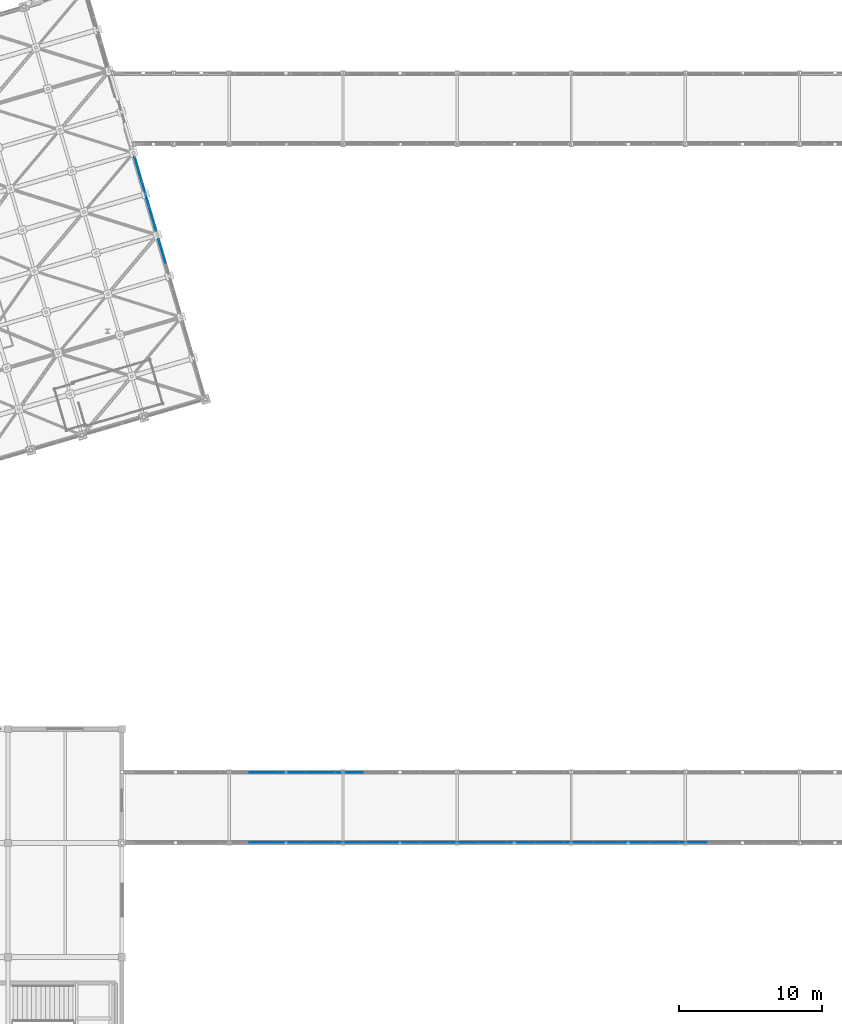
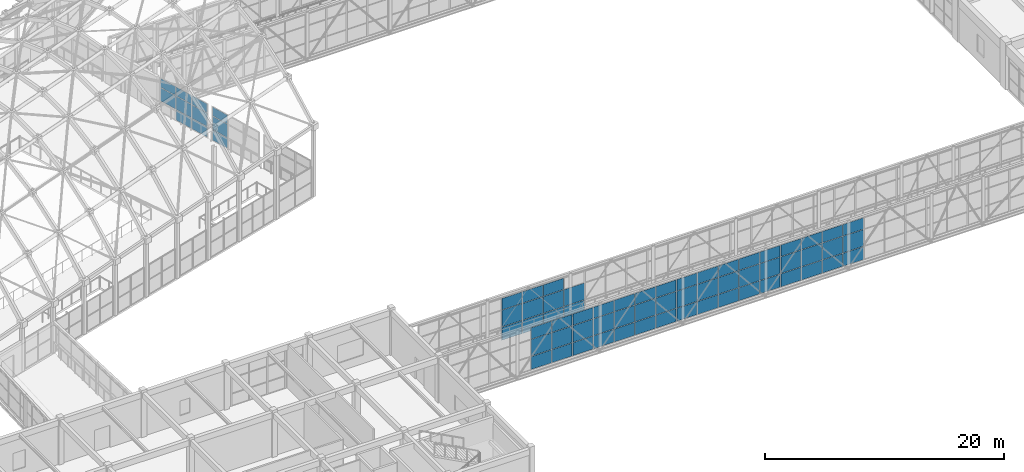
# One storey, part 204 of 248: 70 plates, 4 elements without a shape of their own.
"""IFC4 building model written with IfcOpenShell, lengths in metres."""

import ifcopenshell
import ifcopenshell.guid

model = None  # the IFC model being written
_history = None  # IfcOwnerHistory: only IFC2X3 demands one
_inside = {}  # id of a spatial element -> (the spatial element, [elements in it])
_under = {}  # id of a project, library or spatial element -> (it, [spatial elements below it])
_declared = {}  # id of a project -> (the project, [libraries it declares])
_typed = {}  # id of a type object -> (the type object, [elements of that type])
_made_of = {}  # id of a material, layer set ... -> (it, [elements and type objects made of it])


def new_model(schema):
    """Start an empty IFC model of exactly this schema.

    Asked for "IFC4X3", IfcOpenShell would pick the latest addendum, in which some entities
    have other attributes; the version numbers below select the first issue.
    IFC2X3 requires an IfcOwnerHistory on every rooted entity: one is made here for all.
    """
    global model, _history
    if schema == "IFC4X3":
        model = ifcopenshell.file(schema_version=(4, 3, 0, 0))
    else:
        model = ifcopenshell.file(schema=schema)
    _inside.clear()
    _under.clear()
    _declared.clear()
    _typed.clear()
    _made_of.clear()
    _history = None
    if model.schema == "IFC2X3":
        org = make("IfcOrganization", Name="unknown")
        user = make(
            "IfcPersonAndOrganization",
            ThePerson=make("IfcPerson", FamilyName="unknown"),
            TheOrganization=org,
        )
        app = make(
            "IfcApplication",
            ApplicationDeveloper=org,
            Version="unknown",
            ApplicationFullName="unknown",
            ApplicationIdentifier="unknown",
        )
        _history = make(
            "IfcOwnerHistory",
            OwningUser=user,
            OwningApplication=app,
            ChangeAction="ADDED",
            CreationDate=0,
        )
    return model


def make(cls, **values):
    """One entity of the class cls with the attributes given. An attribute that is None is left unset."""
    return model.create_entity(
        cls, **{name: value for name, value in values.items() if value is not None}
    )


def rooted(cls, **values):
    """An entity with a GlobalId (a new one), such as an element, a storey or a relation."""
    return make(cls, GlobalId=ifcopenshell.guid.new(), OwnerHistory=_history, **values)


def si_unit(unit_type, name, prefix=None):
    """IfcSIUnit, for example si_unit("LENGTHUNIT", "METRE", prefix="MILLI")."""
    return make("IfcSIUnit", UnitType=unit_type, Prefix=prefix, Name=name)


def assignment(units):
    """IfcUnitAssignment: the units of a project."""
    return None if units is None else make("IfcUnitAssignment", Units=units)


def point(xyz):
    """IfcCartesianPoint."""
    return None if xyz is None else make("IfcCartesianPoint", Coordinates=xyz)


def direction(xyz):
    """IfcDirection."""
    return None if xyz is None else make("IfcDirection", DirectionRatios=xyz)


def frame(location, z_axis=None, x_axis=None):
    """IfcAxis2Placement3D, a coordinate frame: its origin and axes. An axis left out is left unset."""
    return make(
        "IfcAxis2Placement3D",
        Location=point(location),
        Axis=direction(z_axis),
        RefDirection=direction(x_axis),
    )


def frame_2d(location, x_axis=None):
    """IfcAxis2Placement2D, a coordinate frame in the plane: its origin and x axis."""
    return make(
        "IfcAxis2Placement2D", Location=point(location), RefDirection=direction(x_axis)
    )


def origin():
    """The frame at (0, 0, 0) with its axes left unset."""
    return frame((0.0, 0.0, 0.0))


def origin_2d():
    """The frame at (0, 0) in the plane with its x axis left unset."""
    return frame_2d((0.0, 0.0))


def place(relative_to, where):
    """IfcLocalPlacement: puts the frame where relative to a parent placement (None: the world)."""
    return make(
        "IfcLocalPlacement", PlacementRelTo=relative_to, RelativePlacement=where
    )


def context(
    kind, dimensions, precision=None, world=None, true_north=None, identifier=None
):
    """IfcGeometricRepresentationContext, for example the 3D "Model" context."""
    return make(
        "IfcGeometricRepresentationContext",
        ContextIdentifier=identifier,
        ContextType=kind,
        CoordinateSpaceDimension=dimensions,
        Precision=precision,
        WorldCoordinateSystem=world,
        TrueNorth=true_north,
    )


def subcontext(parent, identifier, kind, view, scale=None):
    """IfcGeometricRepresentationSubContext, for example "Body" below "Model"."""
    return make(
        "IfcGeometricRepresentationSubContext",
        ContextIdentifier=identifier,
        ContextType=kind,
        ParentContext=parent,
        TargetScale=scale,
        TargetView=view,
    )


def project(units=None, contexts=None):
    """IfcProject with its units and contexts."""
    return rooted(
        "IfcProject",
        Name="project",
        RepresentationContexts=contexts,
        UnitsInContext=assignment(units),
    )


def spatial(cls, under=None, at=None, **own):
    """A site, building, storey or space (cls), placed at a placement, below another one or the project."""
    s = rooted(cls, ObjectPlacement=at, **own)
    if under is not None:
        _under.setdefault(under.id(), (under, []))[1].append(s)
    return s


def profile(cls, at=None, kind="AREA", **sizes):
    """A parametric profile (cls). Its sizes go by their IFC names, for example OverallWidth=200.0."""
    return make(cls, ProfileType=kind, Position=at, **sizes)


def rectangle(**sizes):
    """IfcRectangleProfileDef."""
    return profile("IfcRectangleProfileDef", **sizes)


def extrude(swept, where, along, depth):
    """IfcExtrudedAreaSolid: the profile swept, set in the frame where, extruded along a direction by depth."""
    return make(
        "IfcExtrudedAreaSolid",
        SweptArea=swept,
        Position=where,
        ExtrudedDirection=direction(along),
        Depth=depth,
    )


def shape(context_of_items, identifier, shape_type, items):
    """IfcShapeRepresentation: the items that make up one representation, for example the "Body"."""
    return make(
        "IfcShapeRepresentation",
        ContextOfItems=context_of_items,
        RepresentationIdentifier=identifier,
        RepresentationType=shape_type,
        Items=items,
    )


def material(Name=None, Category=None):
    """IfcMaterial."""
    return make("IfcMaterial", Name=Name, Category=Category)


def layer(
    of_material, thickness, ventilated=None, Name=None, Category=None, Priority=None
):
    """IfcMaterialLayer: one layer of a wall or slab, of a material (None: an air gap)."""
    return make(
        "IfcMaterialLayer",
        Material=of_material,
        LayerThickness=thickness,
        IsVentilated=ventilated,
        Name=Name,
        Category=Category,
        Priority=Priority,
    )


def layer_set(layers, Name=None):
    """IfcMaterialLayerSet."""
    return make("IfcMaterialLayerSet", MaterialLayers=layers, LayerSetName=Name)


def made_of(thing, what):
    """Note that an element or type object is made of a material, layer set ...; save() writes the relation."""
    if what is not None:
        _made_of.setdefault(what.id(), (what, []))[1].append(thing)
    return thing


def type_object(cls, material=None, **own):
    """A type object (cls), such as IfcWallType, which elements share."""
    return made_of(rooted(cls, **own), material)


def element(
    cls,
    number,
    at=None,
    inside=None,
    cuts=None,
    type_object=None,
    material=None,
    context=None,
    identifier="Body",
    shape_type=None,
    held_by="IfcProductDefinitionShape",
    body=None,
    shapes=None,
    **own,
):
    """One element of the class cls, such as IfcWall. Its Tag is "e" and its number.

    at: its placement. inside: the storey or other place that contains it. cuts: it is an
    opening in that element (IfcRelVoidsElement). A single representation is given by context,
    identifier, shape_type and body (its items); several are given by shapes. held_by: the class
    of the entity that holds the representations. save() writes the other relations.
    """
    e = rooted(cls, Tag="e%d" % number, ObjectPlacement=at, **own)
    if body is not None:
        shapes = [shape(context, identifier, shape_type, body)]
    if shapes is not None:
        e.Representation = make(held_by, Representations=shapes)
    if inside is not None:
        _inside.setdefault(inside.id(), (inside, []))[1].append(e)
    if cuts is not None:
        rooted(
            "IfcRelVoidsElement", RelatingBuildingElement=cuts, RelatedOpeningElement=e
        )
    if type_object is not None:
        _typed.setdefault(type_object.id(), (type_object, []))[1].append(e)
    return made_of(e, material)


def aggregate(whole, parts):
    """IfcRelAggregates: a whole, such as a stair, and the parts it consists of."""
    return rooted("IfcRelAggregates", RelatingObject=whole, RelatedObjects=parts)


def save(model, path):
    """Write the relations noted so far, then the file.

    IfcRelAggregates (storeys below a building ...), IfcRelContainedInSpatialStructure (elements
    in a storey), IfcRelDefinesByType, IfcRelAssociatesMaterial and IfcRelDeclares: one each for
    every whole, place, type object, material and project.
    """
    for whole, parts in _under.values():
        aggregate(whole, parts)
    for where, things in _inside.values():
        rooted(
            "IfcRelContainedInSpatialStructure",
            RelatedElements=things,
            RelatingStructure=where,
        )
    for kind, things in _typed.values():
        rooted("IfcRelDefinesByType", RelatedObjects=things, RelatingType=kind)
    for what, things in _made_of.values():
        rooted("IfcRelAssociatesMaterial", RelatedObjects=things, RelatingMaterial=what)
    for by, libraries in _declared.values():
        rooted("IfcRelDeclares", RelatingContext=by, RelatedDefinitions=libraries)
    model.write(path)


model = new_model("IFC4")

# Units and contexts
model_context = context("Model", 3, precision=1e-05, world=origin(), true_north=direction((0.0, 1.0)))
body_context = subcontext(model_context, "Body", "Model", "MODEL_VIEW")
ifc_project = project(units=[si_unit("LENGTHUNIT", "METRE"), si_unit("AREAUNIT", "SQUARE_METRE"), si_unit("VOLUMEUNIT", "CUBIC_METRE"), si_unit("PLANEANGLEUNIT", "RADIAN"), si_unit("MASSUNIT", "GRAM", prefix="KILO")], contexts=[model_context])

# Site, building, storey
site_placement = place(None, origin())
site = spatial("IfcSite", under=ifc_project, at=site_placement, CompositionType="ELEMENT")
building_placement = place(site_placement, origin())
building = spatial("IfcBuilding", under=site, at=building_placement, Name="Canggui Botanical Conservatory", CompositionType="ELEMENT")
storey_placement = place(building_placement, frame((0.0, 0.0, 5.39990234375)))
storey = spatial("IfcBuildingStorey", under=building, at=storey_placement, Name="L02", CompositionType="ELEMENT", Elevation=5.39990234375)

# Curtain wall, plates
ifc_material_1 = material(Name="Thermally Broken Aluminium", Category="aluminium")
ifc_layer_1 = layer(ifc_material_1, 0.14990234375, Name="Thermally Broken Aluminium", Category="aluminium")
ifc_layer_set_1 = layer_set([ifc_layer_1], Name="Thermally Broken Aluminium")
curtain_wall_type_1 = type_object("IfcCurtainWallType", Name="CW-UNIT-C", PredefinedType="USERDEFINED", material=ifc_layer_set_1)
curtain_wall_1_placement = place(storey_placement, origin())
curtain_wall_1 = element("IfcCurtainWall", 1, at=curtain_wall_1_placement, inside=storey, type_object=curtain_wall_type_1, Name="Facade Curtain Wall CW-CONS-GABLE-L02-N-02", ObjectType="UNITISED CURTAIN WALL", PredefinedType="USERDEFINED")
ifc_material_2 = material(Name="Low-E Insulated Glass", Category="glass")
ifc_layer_2 = layer(ifc_material_2, 0.033935546875, Name="Low-E Insulated Glass", Category="glass")
ifc_layer_set_2 = layer_set([ifc_layer_2], Name="Low-E Insulated Glass")
plate_type_1 = type_object("IfcPlateType", Name="CWP-03", PredefinedType="CURTAIN_PANEL", material=ifc_layer_set_2)
plate_1_placement = place(storey_placement, frame((68.810791015625, 67.505615234375, 0.054931640625), z_axis=(0.0, 0.0, 1.0), x_axis=(-0.279999999995, 0.960000000002, 0.0)))
plate_1 = element("IfcPlate", 2, at=plate_1_placement, type_object=plate_type_1, Name="CW-03 panel 3.1", PredefinedType="CURTAIN_PANEL", context=body_context, shape_type="SweptSolid", body=[
    extrude(rectangle(XDim=1.743408203125, YDim=0.033935546875, at=origin_2d()), origin(), (0.0, 0.0, 1.0), 1.03759765625),
])
plate_2_placement = place(storey_placement, frame((68.810791015625, 67.505615234375, 1.1474609375), z_axis=(0.0, 0.0, 1.0), x_axis=(-0.279999999995, 0.960000000002, 0.0)))
plate_2 = element("IfcPlate", 3, at=plate_2_placement, type_object=plate_type_1, Name="CW-03 panel 3.2", PredefinedType="CURTAIN_PANEL", context=body_context, shape_type="SweptSolid", body=[
    extrude(rectangle(XDim=1.743408203125, YDim=0.033935546875, at=origin_2d()), origin(), (0.0, 0.0, 1.0), 1.344970703125),
])
plate_3_placement = place(storey_placement, frame((68.810791015625, 67.505615234375, 2.547607421875), z_axis=(0.0, 0.0, 1.0), x_axis=(-0.279999999995, 0.960000000002, 0.0)))
plate_3 = element("IfcPlate", 4, at=plate_3_placement, type_object=plate_type_1, Name="CW-03 panel 3.3", PredefinedType="CURTAIN_PANEL", context=body_context, shape_type="SweptSolid", body=[
    extrude(rectangle(XDim=1.743408203125, YDim=0.033935546875, at=origin_2d()), origin(), (0.0, 0.0, 1.0), 0.8974609375),
])
aggregate(curtain_wall_1, [plate_1, plate_2, plate_3])

curtain_wall_2_placement = place(storey_placement, origin())
curtain_wall_2 = element("IfcCurtainWall", 5, at=curtain_wall_2_placement, inside=storey, type_object=curtain_wall_type_1, Name="Facade Curtain Wall CW-CONS-GABLE-L02-N-03", ObjectType="UNITISED CURTAIN WALL", PredefinedType="USERDEFINED")
plate_4_placement = place(storey_placement, frame((68.149169921875, 69.7744140625, 0.054931640625), z_axis=(0.0, 0.0, 1.0), x_axis=(-0.279999999995, 0.960000000002, 0.0)))
plate_4 = element("IfcPlate", 6, at=plate_4_placement, type_object=plate_type_1, Name="CW-03 panel 1.1", PredefinedType="CURTAIN_PANEL", context=body_context, shape_type="SweptSolid", body=[
    extrude(rectangle(XDim=1.743408203125, YDim=0.033935546875, at=origin_2d()), origin(), (0.0, 0.0, 1.0), 1.03759765625),
])
plate_5_placement = place(storey_placement, frame((68.149169921875, 69.7744140625, 1.1474609375), z_axis=(0.0, 0.0, 1.0), x_axis=(-0.279999999995, 0.960000000002, 0.0)))
plate_5 = element("IfcPlate", 7, at=plate_5_placement, type_object=plate_type_1, Name="CW-03 panel 1.2", PredefinedType="CURTAIN_PANEL", context=body_context, shape_type="SweptSolid", body=[
    extrude(rectangle(XDim=1.743408203125, YDim=0.033935546875, at=origin_2d()), origin(), (0.0, 0.0, 1.0), 1.344970703125),
])
plate_6_placement = place(storey_placement, frame((68.149169921875, 69.7744140625, 2.547607421875), z_axis=(0.0, 0.0, 1.0), x_axis=(-0.279999999995, 0.960000000002, 0.0)))
plate_6 = element("IfcPlate", 8, at=plate_6_placement, type_object=plate_type_1, Name="CW-03 panel 1.3", PredefinedType="CURTAIN_PANEL", context=body_context, shape_type="SweptSolid", body=[
    extrude(rectangle(XDim=1.743408203125, YDim=0.033935546875, at=origin_2d()), origin(), (0.0, 0.0, 1.0), 0.8974609375),
])
plate_7_placement = place(storey_placement, frame((67.639892578125, 71.52001953125, 0.054931640625), z_axis=(0.0, 0.0, 1.0), x_axis=(-0.279999999995, 0.960000000002, 0.0)))
plate_7 = element("IfcPlate", 9, at=plate_7_placement, type_object=plate_type_1, Name="CW-03 panel 2.1", PredefinedType="CURTAIN_PANEL", context=body_context, shape_type="SweptSolid", body=[
    extrude(rectangle(XDim=1.7734375, YDim=0.033935546875, at=origin_2d()), origin(), (0.0, 0.0, 1.0), 1.03759765625),
])
plate_8_placement = place(storey_placement, frame((67.639892578125, 71.52001953125, 1.1474609375), z_axis=(0.0, 0.0, 1.0), x_axis=(-0.279999999995, 0.960000000002, 0.0)))
plate_8 = element("IfcPlate", 10, at=plate_8_placement, type_object=plate_type_1, Name="CW-03 panel 2.2", PredefinedType="CURTAIN_PANEL", context=body_context, shape_type="SweptSolid", body=[
    extrude(rectangle(XDim=1.7734375, YDim=0.033935546875, at=origin_2d()), origin(), (0.0, 0.0, 1.0), 1.344970703125),
])
plate_9_placement = place(storey_placement, frame((67.639892578125, 71.52001953125, 2.547607421875), z_axis=(0.0, 0.0, 1.0), x_axis=(-0.279999999995, 0.960000000002, 0.0)))
plate_9 = element("IfcPlate", 11, at=plate_9_placement, type_object=plate_type_1, Name="CW-03 panel 2.3", PredefinedType="CURTAIN_PANEL", context=body_context, shape_type="SweptSolid", body=[
    extrude(rectangle(XDim=1.7734375, YDim=0.033935546875, at=origin_2d()), origin(), (0.0, 0.0, 1.0), 0.8974609375),
])
plate_10_placement = place(storey_placement, frame((67.130859375, 73.265625, 1.1474609375), z_axis=(0.0, 0.0, 1.0), x_axis=(-0.279999999995, 0.960000000002, 0.0)))
plate_10 = element("IfcPlate", 12, at=plate_10_placement, type_object=plate_type_1, Name="CW-03 panel 3.2", PredefinedType="CURTAIN_PANEL", context=body_context, shape_type="SweptSolid", body=[
    extrude(rectangle(XDim=1.743408203125, YDim=0.033935546875, at=origin_2d()), origin(), (0.0, 0.0, 1.0), 1.344970703125),
])
plate_11_placement = place(storey_placement, frame((67.130859375, 73.265625, 2.547607421875), z_axis=(0.0, 0.0, 1.0), x_axis=(-0.279999999995, 0.960000000002, 0.0)))
plate_11 = element("IfcPlate", 13, at=plate_11_placement, type_object=plate_type_1, Name="CW-03 panel 3.3", PredefinedType="CURTAIN_PANEL", context=body_context, shape_type="SweptSolid", body=[
    extrude(rectangle(XDim=1.743408203125, YDim=0.033935546875, at=origin_2d()), origin(), (0.0, 0.0, 1.0), 0.8974609375),
])
aggregate(curtain_wall_2, [plate_4, plate_5, plate_6, plate_7, plate_8, plate_9, plate_10, plate_11])

ifc_layer_3 = layer(ifc_material_1, 0.1201171875, Name="Thermally Broken Aluminium", Category="aluminium")
ifc_layer_set_3 = layer_set([ifc_layer_3], Name="Thermally Broken Aluminium")
curtain_wall_type_2 = type_object("IfcCurtainWallType", Name="CW-STICK-B", PredefinedType="USERDEFINED", material=ifc_layer_set_3)
curtain_wall_3_placement = place(storey_placement, origin())
curtain_wall_3 = element("IfcCurtainWall", 14, at=curtain_wall_3_placement, inside=storey, type_object=curtain_wall_type_2, Name="Facade Curtain Wall CW-SB-01-1", ObjectType="STICK GLAZED WALL", PredefinedType="USERDEFINED")
ifc_layer_4 = layer(ifc_material_2, 0.0419921875, Name="Low-E Insulated Glass", Category="glass")
ifc_layer_set_4 = layer_set([ifc_layer_4], Name="Low-E Insulated Glass")
plate_type_2 = type_object("IfcPlateType", Name="CWP-05", PredefinedType="CURTAIN_PANEL", material=ifc_layer_set_4)
plate_12_placement = place(storey_placement, frame((75.8935546875, 26.0400390625, 0.044921875), z_axis=(0.0, 0.0, 1.0), x_axis=(1.0, 0.0, 0.0)))
plate_12 = element("IfcPlate", 15, at=plate_12_placement, type_object=plate_type_2, Name="CW-05 panel 5.1", PredefinedType="CURTAIN_PANEL", context=body_context, shape_type="SweptSolid", body=[
    extrude(rectangle(XDim=1.95458984375, YDim=0.0419921875, at=origin_2d()), origin(), (0.0, 0.0, 1.0), 1.324462890625),
])
plate_13_placement = place(storey_placement, frame((75.8935546875, 26.0400390625, 1.41455078125), z_axis=(0.0, 0.0, 1.0), x_axis=(1.0, 0.0, 0.0)))
plate_13 = element("IfcPlate", 16, at=plate_13_placement, type_object=plate_type_2, Name="CW-05 panel 5.2", PredefinedType="CURTAIN_PANEL", context=body_context, shape_type="SweptSolid", body=[
    extrude(rectangle(XDim=1.95458984375, YDim=0.0419921875, at=origin_2d()), origin(), (0.0, 0.0, 1.0), 1.695068359375),
])
plate_14_placement = place(storey_placement, frame((75.8935546875, 26.0400390625, 3.154541015625), z_axis=(0.0, 0.0, 1.0), x_axis=(1.0, 0.0, 0.0)))
plate_14 = element("IfcPlate", 17, at=plate_14_placement, type_object=plate_type_2, Name="CW-05 panel 5.3", PredefinedType="CURTAIN_PANEL", context=body_context, shape_type="SweptSolid", body=[
    extrude(rectangle(XDim=1.95458984375, YDim=0.0419921875, at=origin_2d()), origin(), (0.0, 0.0, 1.0), 1.150390625),
])
plate_15_placement = place(storey_placement, frame((77.9033203125, 26.0400390625, 0.044921875), z_axis=(0.0, 0.0, 1.0), x_axis=(1.0, 0.0, 0.0)))
plate_15 = element("IfcPlate", 18, at=plate_15_placement, type_object=plate_type_2, Name="CW-05 panel 6.1", PredefinedType="CURTAIN_PANEL", context=body_context, shape_type="SweptSolid", body=[
    extrude(rectangle(XDim=1.95458984375, YDim=0.0419921875, at=origin_2d()), origin(), (0.0, 0.0, 1.0), 1.324462890625),
])
plate_16_placement = place(storey_placement, frame((77.9033203125, 26.0400390625, 1.41455078125), z_axis=(0.0, 0.0, 1.0), x_axis=(1.0, 0.0, 0.0)))
plate_16 = element("IfcPlate", 19, at=plate_16_placement, type_object=plate_type_2, Name="CW-05 panel 6.2", PredefinedType="CURTAIN_PANEL", context=body_context, shape_type="SweptSolid", body=[
    extrude(rectangle(XDim=1.95458984375, YDim=0.0419921875, at=origin_2d()), origin(), (0.0, 0.0, 1.0), 1.695068359375),
])
plate_17_placement = place(storey_placement, frame((77.9033203125, 26.0400390625, 3.154541015625), z_axis=(0.0, 0.0, 1.0), x_axis=(1.0, 0.0, 0.0)))
plate_17 = element("IfcPlate", 20, at=plate_17_placement, type_object=plate_type_2, Name="CW-05 panel 6.3", PredefinedType="CURTAIN_PANEL", context=body_context, shape_type="SweptSolid", body=[
    extrude(rectangle(XDim=1.95458984375, YDim=0.0419921875, at=origin_2d()), origin(), (0.0, 0.0, 1.0), 1.150390625),
])
plate_18_placement = place(storey_placement, frame((79.912841796875, 26.0400390625, 0.044921875), z_axis=(0.0, 0.0, 1.0), x_axis=(1.0, 0.0, 0.0)))
plate_18 = element("IfcPlate", 21, at=plate_18_placement, type_object=plate_type_2, Name="CW-05 panel 7.1", PredefinedType="CURTAIN_PANEL", context=body_context, shape_type="SweptSolid", body=[
    extrude(rectangle(XDim=1.95458984375, YDim=0.0419921875, at=origin_2d()), origin(), (0.0, 0.0, 1.0), 1.324462890625),
])
plate_19_placement = place(storey_placement, frame((79.912841796875, 26.0400390625, 1.41455078125), z_axis=(0.0, 0.0, 1.0), x_axis=(1.0, 0.0, 0.0)))
plate_19 = element("IfcPlate", 22, at=plate_19_placement, type_object=plate_type_2, Name="CW-05 panel 7.2", PredefinedType="CURTAIN_PANEL", context=body_context, shape_type="SweptSolid", body=[
    extrude(rectangle(XDim=1.95458984375, YDim=0.0419921875, at=origin_2d()), origin(), (0.0, 0.0, 1.0), 1.695068359375),
])
plate_20_placement = place(storey_placement, frame((79.912841796875, 26.0400390625, 3.154541015625), z_axis=(0.0, 0.0, 1.0), x_axis=(1.0, 0.0, 0.0)))
plate_20 = element("IfcPlate", 23, at=plate_20_placement, type_object=plate_type_2, Name="CW-05 panel 7.3", PredefinedType="CURTAIN_PANEL", context=body_context, shape_type="SweptSolid", body=[
    extrude(rectangle(XDim=1.95458984375, YDim=0.0419921875, at=origin_2d()), origin(), (0.0, 0.0, 1.0), 1.150390625),
])
plate_21_placement = place(storey_placement, frame((81.922607421875, 26.0400390625, 0.044921875), z_axis=(0.0, 0.0, 1.0), x_axis=(1.0, 0.0, 0.0)))
plate_21 = element("IfcPlate", 24, at=plate_21_placement, type_object=plate_type_2, Name="CW-05 panel 8.1", PredefinedType="CURTAIN_PANEL", context=body_context, shape_type="SweptSolid", body=[
    extrude(rectangle(XDim=1.95458984375, YDim=0.0419921875, at=origin_2d()), origin(), (0.0, 0.0, 1.0), 1.324462890625),
])
plate_22_placement = place(storey_placement, frame((81.922607421875, 26.0400390625, 1.41455078125), z_axis=(0.0, 0.0, 1.0), x_axis=(1.0, 0.0, 0.0)))
plate_22 = element("IfcPlate", 25, at=plate_22_placement, type_object=plate_type_2, Name="CW-05 panel 8.2", PredefinedType="CURTAIN_PANEL", context=body_context, shape_type="SweptSolid", body=[
    extrude(rectangle(XDim=1.95458984375, YDim=0.0419921875, at=origin_2d()), origin(), (0.0, 0.0, 1.0), 1.695068359375),
])
plate_23_placement = place(storey_placement, frame((81.922607421875, 26.0400390625, 3.154541015625), z_axis=(0.0, 0.0, 1.0), x_axis=(1.0, 0.0, 0.0)))
plate_23 = element("IfcPlate", 26, at=plate_23_placement, type_object=plate_type_2, Name="CW-05 panel 8.3", PredefinedType="CURTAIN_PANEL", context=body_context, shape_type="SweptSolid", body=[
    extrude(rectangle(XDim=1.95458984375, YDim=0.0419921875, at=origin_2d()), origin(), (0.0, 0.0, 1.0), 1.150390625),
])
plate_24_placement = place(storey_placement, frame((83.932373046875, 26.0400390625, 0.044921875), z_axis=(0.0, 0.0, 1.0), x_axis=(1.0, 0.0, 0.0)))
plate_24 = element("IfcPlate", 27, at=plate_24_placement, type_object=plate_type_2, Name="CW-05 panel 9.1", PredefinedType="CURTAIN_PANEL", context=body_context, shape_type="SweptSolid", body=[
    extrude(rectangle(XDim=1.95458984375, YDim=0.0419921875, at=origin_2d()), origin(), (0.0, 0.0, 1.0), 1.324462890625),
])
plate_25_placement = place(storey_placement, frame((83.932373046875, 26.0400390625, 1.41455078125), z_axis=(0.0, 0.0, 1.0), x_axis=(1.0, 0.0, 0.0)))
plate_25 = element("IfcPlate", 28, at=plate_25_placement, type_object=plate_type_2, Name="CW-05 panel 9.2", PredefinedType="CURTAIN_PANEL", context=body_context, shape_type="SweptSolid", body=[
    extrude(rectangle(XDim=1.95458984375, YDim=0.0419921875, at=origin_2d()), origin(), (0.0, 0.0, 1.0), 1.695068359375),
])
plate_26_placement = place(storey_placement, frame((83.932373046875, 26.0400390625, 3.154541015625), z_axis=(0.0, 0.0, 1.0), x_axis=(1.0, 0.0, 0.0)))
plate_26 = element("IfcPlate", 29, at=plate_26_placement, type_object=plate_type_2, Name="CW-05 panel 9.3", PredefinedType="CURTAIN_PANEL", context=body_context, shape_type="SweptSolid", body=[
    extrude(rectangle(XDim=1.95458984375, YDim=0.0419921875, at=origin_2d()), origin(), (0.0, 0.0, 1.0), 1.150390625),
])
plate_27_placement = place(storey_placement, frame((85.94189453125, 26.0400390625, 0.044921875), z_axis=(0.0, 0.0, 1.0), x_axis=(1.0, 0.0, 0.0)))
plate_27 = element("IfcPlate", 30, at=plate_27_placement, type_object=plate_type_2, Name="CW-05 panel 10.1", PredefinedType="CURTAIN_PANEL", context=body_context, shape_type="SweptSolid", body=[
    extrude(rectangle(XDim=1.95458984375, YDim=0.0419921875, at=origin_2d()), origin(), (0.0, 0.0, 1.0), 1.324462890625),
])
plate_28_placement = place(storey_placement, frame((85.94189453125, 26.0400390625, 1.41455078125), z_axis=(0.0, 0.0, 1.0), x_axis=(1.0, 0.0, 0.0)))
plate_28 = element("IfcPlate", 31, at=plate_28_placement, type_object=plate_type_2, Name="CW-05 panel 10.2", PredefinedType="CURTAIN_PANEL", context=body_context, shape_type="SweptSolid", body=[
    extrude(rectangle(XDim=1.95458984375, YDim=0.0419921875, at=origin_2d()), origin(), (0.0, 0.0, 1.0), 1.695068359375),
])
plate_29_placement = place(storey_placement, frame((85.94189453125, 26.0400390625, 3.154541015625), z_axis=(0.0, 0.0, 1.0), x_axis=(1.0, 0.0, 0.0)))
plate_29 = element("IfcPlate", 32, at=plate_29_placement, type_object=plate_type_2, Name="CW-05 panel 10.3", PredefinedType="CURTAIN_PANEL", context=body_context, shape_type="SweptSolid", body=[
    extrude(rectangle(XDim=1.95458984375, YDim=0.0419921875, at=origin_2d()), origin(), (0.0, 0.0, 1.0), 1.150390625),
])
plate_30_placement = place(storey_placement, frame((87.95166015625, 26.0400390625, 0.044921875), z_axis=(0.0, 0.0, 1.0), x_axis=(1.0, 0.0, 0.0)))
plate_30 = element("IfcPlate", 33, at=plate_30_placement, type_object=plate_type_2, Name="CW-05 panel 11.1", PredefinedType="CURTAIN_PANEL", context=body_context, shape_type="SweptSolid", body=[
    extrude(rectangle(XDim=1.95458984375, YDim=0.0419921875, at=origin_2d()), origin(), (0.0, 0.0, 1.0), 1.324462890625),
])
plate_31_placement = place(storey_placement, frame((87.95166015625, 26.0400390625, 1.41455078125), z_axis=(0.0, 0.0, 1.0), x_axis=(1.0, 0.0, 0.0)))
plate_31 = element("IfcPlate", 34, at=plate_31_placement, type_object=plate_type_2, Name="CW-05 panel 11.2", PredefinedType="CURTAIN_PANEL", context=body_context, shape_type="SweptSolid", body=[
    extrude(rectangle(XDim=1.95458984375, YDim=0.0419921875, at=origin_2d()), origin(), (0.0, 0.0, 1.0), 1.695068359375),
])
plate_32_placement = place(storey_placement, frame((87.95166015625, 26.0400390625, 3.154541015625), z_axis=(0.0, 0.0, 1.0), x_axis=(1.0, 0.0, 0.0)))
plate_32 = element("IfcPlate", 35, at=plate_32_placement, type_object=plate_type_2, Name="CW-05 panel 11.3", PredefinedType="CURTAIN_PANEL", context=body_context, shape_type="SweptSolid", body=[
    extrude(rectangle(XDim=1.95458984375, YDim=0.0419921875, at=origin_2d()), origin(), (0.0, 0.0, 1.0), 1.150390625),
])
plate_33_placement = place(storey_placement, frame((89.961181640625, 26.0400390625, 0.044921875), z_axis=(0.0, 0.0, 1.0), x_axis=(1.0, 0.0, 0.0)))
plate_33 = element("IfcPlate", 36, at=plate_33_placement, type_object=plate_type_2, Name="CW-05 panel 12.1", PredefinedType="CURTAIN_PANEL", context=body_context, shape_type="SweptSolid", body=[
    extrude(rectangle(XDim=1.95458984375, YDim=0.0419921875, at=origin_2d()), origin(), (0.0, 0.0, 1.0), 1.324462890625),
])
plate_34_placement = place(storey_placement, frame((89.961181640625, 26.0400390625, 1.41455078125), z_axis=(0.0, 0.0, 1.0), x_axis=(1.0, 0.0, 0.0)))
plate_34 = element("IfcPlate", 37, at=plate_34_placement, type_object=plate_type_2, Name="CW-05 panel 12.2", PredefinedType="CURTAIN_PANEL", context=body_context, shape_type="SweptSolid", body=[
    extrude(rectangle(XDim=1.95458984375, YDim=0.0419921875, at=origin_2d()), origin(), (0.0, 0.0, 1.0), 1.695068359375),
])
plate_35_placement = place(storey_placement, frame((89.961181640625, 26.0400390625, 3.154541015625), z_axis=(0.0, 0.0, 1.0), x_axis=(1.0, 0.0, 0.0)))
plate_35 = element("IfcPlate", 38, at=plate_35_placement, type_object=plate_type_2, Name="CW-05 panel 12.3", PredefinedType="CURTAIN_PANEL", context=body_context, shape_type="SweptSolid", body=[
    extrude(rectangle(XDim=1.95458984375, YDim=0.0419921875, at=origin_2d()), origin(), (0.0, 0.0, 1.0), 1.150390625),
])
plate_36_placement = place(storey_placement, frame((91.970947265625, 26.0400390625, 0.044921875), z_axis=(0.0, 0.0, 1.0), x_axis=(1.0, 0.0, 0.0)))
plate_36 = element("IfcPlate", 39, at=plate_36_placement, type_object=plate_type_2, Name="CW-05 panel 13.1", PredefinedType="CURTAIN_PANEL", context=body_context, shape_type="SweptSolid", body=[
    extrude(rectangle(XDim=1.95458984375, YDim=0.0419921875, at=origin_2d()), origin(), (0.0, 0.0, 1.0), 1.324462890625),
])
plate_37_placement = place(storey_placement, frame((91.970947265625, 26.0400390625, 1.41455078125), z_axis=(0.0, 0.0, 1.0), x_axis=(1.0, 0.0, 0.0)))
plate_37 = element("IfcPlate", 40, at=plate_37_placement, type_object=plate_type_2, Name="CW-05 panel 13.2", PredefinedType="CURTAIN_PANEL", context=body_context, shape_type="SweptSolid", body=[
    extrude(rectangle(XDim=1.95458984375, YDim=0.0419921875, at=origin_2d()), origin(), (0.0, 0.0, 1.0), 1.695068359375),
])
plate_38_placement = place(storey_placement, frame((91.970947265625, 26.0400390625, 3.154541015625), z_axis=(0.0, 0.0, 1.0), x_axis=(1.0, 0.0, 0.0)))
plate_38 = element("IfcPlate", 41, at=plate_38_placement, type_object=plate_type_2, Name="CW-05 panel 13.3", PredefinedType="CURTAIN_PANEL", context=body_context, shape_type="SweptSolid", body=[
    extrude(rectangle(XDim=1.95458984375, YDim=0.0419921875, at=origin_2d()), origin(), (0.0, 0.0, 1.0), 1.150390625),
])
plate_39_placement = place(storey_placement, frame((93.980712890625, 26.0400390625, 0.044921875), z_axis=(0.0, 0.0, 1.0), x_axis=(1.0, 0.0, 0.0)))
plate_39 = element("IfcPlate", 42, at=plate_39_placement, type_object=plate_type_2, Name="CW-05 panel 14.1", PredefinedType="CURTAIN_PANEL", context=body_context, shape_type="SweptSolid", body=[
    extrude(rectangle(XDim=1.95458984375, YDim=0.0419921875, at=origin_2d()), origin(), (0.0, 0.0, 1.0), 1.324462890625),
])
plate_40_placement = place(storey_placement, frame((93.980712890625, 26.0400390625, 1.41455078125), z_axis=(0.0, 0.0, 1.0), x_axis=(1.0, 0.0, 0.0)))
plate_40 = element("IfcPlate", 43, at=plate_40_placement, type_object=plate_type_2, Name="CW-05 panel 14.2", PredefinedType="CURTAIN_PANEL", context=body_context, shape_type="SweptSolid", body=[
    extrude(rectangle(XDim=1.95458984375, YDim=0.0419921875, at=origin_2d()), origin(), (0.0, 0.0, 1.0), 1.695068359375),
])
plate_41_placement = place(storey_placement, frame((93.980712890625, 26.0400390625, 3.154541015625), z_axis=(0.0, 0.0, 1.0), x_axis=(1.0, 0.0, 0.0)))
plate_41 = element("IfcPlate", 44, at=plate_41_placement, type_object=plate_type_2, Name="CW-05 panel 14.3", PredefinedType="CURTAIN_PANEL", context=body_context, shape_type="SweptSolid", body=[
    extrude(rectangle(XDim=1.95458984375, YDim=0.0419921875, at=origin_2d()), origin(), (0.0, 0.0, 1.0), 1.150390625),
])
plate_42_placement = place(storey_placement, frame((95.990234375, 26.0400390625, 0.044921875), z_axis=(0.0, 0.0, 1.0), x_axis=(1.0, 0.0, 0.0)))
plate_42 = element("IfcPlate", 45, at=plate_42_placement, type_object=plate_type_2, Name="CW-05 panel 15.1", PredefinedType="CURTAIN_PANEL", context=body_context, shape_type="SweptSolid", body=[
    extrude(rectangle(XDim=1.95458984375, YDim=0.0419921875, at=origin_2d()), origin(), (0.0, 0.0, 1.0), 1.324462890625),
])
plate_43_placement = place(storey_placement, frame((95.990234375, 26.0400390625, 1.41455078125), z_axis=(0.0, 0.0, 1.0), x_axis=(1.0, 0.0, 0.0)))
plate_43 = element("IfcPlate", 46, at=plate_43_placement, type_object=plate_type_2, Name="CW-05 panel 15.2", PredefinedType="CURTAIN_PANEL", context=body_context, shape_type="SweptSolid", body=[
    extrude(rectangle(XDim=1.95458984375, YDim=0.0419921875, at=origin_2d()), origin(), (0.0, 0.0, 1.0), 1.695068359375),
])
plate_44_placement = place(storey_placement, frame((95.990234375, 26.0400390625, 3.154541015625), z_axis=(0.0, 0.0, 1.0), x_axis=(1.0, 0.0, 0.0)))
plate_44 = element("IfcPlate", 47, at=plate_44_placement, type_object=plate_type_2, Name="CW-05 panel 15.3", PredefinedType="CURTAIN_PANEL", context=body_context, shape_type="SweptSolid", body=[
    extrude(rectangle(XDim=1.95458984375, YDim=0.0419921875, at=origin_2d()), origin(), (0.0, 0.0, 1.0), 1.150390625),
])
plate_45_placement = place(storey_placement, frame((98.0, 26.0400390625, 0.044921875), z_axis=(0.0, 0.0, 1.0), x_axis=(1.0, 0.0, 0.0)))
plate_45 = element("IfcPlate", 48, at=plate_45_placement, type_object=plate_type_2, Name="CW-05 panel 16.1", PredefinedType="CURTAIN_PANEL", context=body_context, shape_type="SweptSolid", body=[
    extrude(rectangle(XDim=1.95458984375, YDim=0.0419921875, at=origin_2d()), origin(), (0.0, 0.0, 1.0), 1.324462890625),
])
plate_46_placement = place(storey_placement, frame((98.0, 26.0400390625, 1.41455078125), z_axis=(0.0, 0.0, 1.0), x_axis=(1.0, 0.0, 0.0)))
plate_46 = element("IfcPlate", 49, at=plate_46_placement, type_object=plate_type_2, Name="CW-05 panel 16.2", PredefinedType="CURTAIN_PANEL", context=body_context, shape_type="SweptSolid", body=[
    extrude(rectangle(XDim=1.95458984375, YDim=0.0419921875, at=origin_2d()), origin(), (0.0, 0.0, 1.0), 1.695068359375),
])
plate_47_placement = place(storey_placement, frame((98.0, 26.0400390625, 3.154541015625), z_axis=(0.0, 0.0, 1.0), x_axis=(1.0, 0.0, 0.0)))
plate_47 = element("IfcPlate", 50, at=plate_47_placement, type_object=plate_type_2, Name="CW-05 panel 16.3", PredefinedType="CURTAIN_PANEL", context=body_context, shape_type="SweptSolid", body=[
    extrude(rectangle(XDim=1.95458984375, YDim=0.0419921875, at=origin_2d()), origin(), (0.0, 0.0, 1.0), 1.150390625),
])
plate_48_placement = place(storey_placement, frame((100.009765625, 26.0400390625, 0.044921875), z_axis=(0.0, 0.0, 1.0), x_axis=(1.0, 0.0, 0.0)))
plate_48 = element("IfcPlate", 51, at=plate_48_placement, type_object=plate_type_2, Name="CW-05 panel 17.1", PredefinedType="CURTAIN_PANEL", context=body_context, shape_type="SweptSolid", body=[
    extrude(rectangle(XDim=1.95458984375, YDim=0.0419921875, at=origin_2d()), origin(), (0.0, 0.0, 1.0), 1.324462890625),
])
plate_49_placement = place(storey_placement, frame((100.009765625, 26.0400390625, 1.41455078125), z_axis=(0.0, 0.0, 1.0), x_axis=(1.0, 0.0, 0.0)))
plate_49 = element("IfcPlate", 52, at=plate_49_placement, type_object=plate_type_2, Name="CW-05 panel 17.2", PredefinedType="CURTAIN_PANEL", context=body_context, shape_type="SweptSolid", body=[
    extrude(rectangle(XDim=1.95458984375, YDim=0.0419921875, at=origin_2d()), origin(), (0.0, 0.0, 1.0), 1.695068359375),
])
plate_50_placement = place(storey_placement, frame((100.009765625, 26.0400390625, 3.154541015625), z_axis=(0.0, 0.0, 1.0), x_axis=(1.0, 0.0, 0.0)))
plate_50 = element("IfcPlate", 53, at=plate_50_placement, type_object=plate_type_2, Name="CW-05 panel 17.3", PredefinedType="CURTAIN_PANEL", context=body_context, shape_type="SweptSolid", body=[
    extrude(rectangle(XDim=1.95458984375, YDim=0.0419921875, at=origin_2d()), origin(), (0.0, 0.0, 1.0), 1.150390625),
])
plate_51_placement = place(storey_placement, frame((102.019287109375, 26.0400390625, 0.044921875), z_axis=(0.0, 0.0, 1.0), x_axis=(1.0, 0.0, 0.0)))
plate_51 = element("IfcPlate", 54, at=plate_51_placement, type_object=plate_type_2, Name="CW-05 panel 18.1", PredefinedType="CURTAIN_PANEL", context=body_context, shape_type="SweptSolid", body=[
    extrude(rectangle(XDim=1.95458984375, YDim=0.0419921875, at=origin_2d()), origin(), (0.0, 0.0, 1.0), 1.324462890625),
])
plate_52_placement = place(storey_placement, frame((102.019287109375, 26.0400390625, 1.41455078125), z_axis=(0.0, 0.0, 1.0), x_axis=(1.0, 0.0, 0.0)))
plate_52 = element("IfcPlate", 55, at=plate_52_placement, type_object=plate_type_2, Name="CW-05 panel 18.2", PredefinedType="CURTAIN_PANEL", context=body_context, shape_type="SweptSolid", body=[
    extrude(rectangle(XDim=1.95458984375, YDim=0.0419921875, at=origin_2d()), origin(), (0.0, 0.0, 1.0), 1.695068359375),
])
plate_53_placement = place(storey_placement, frame((102.019287109375, 26.0400390625, 3.154541015625), z_axis=(0.0, 0.0, 1.0), x_axis=(1.0, 0.0, 0.0)))
plate_53 = element("IfcPlate", 56, at=plate_53_placement, type_object=plate_type_2, Name="CW-05 panel 18.3", PredefinedType="CURTAIN_PANEL", context=body_context, shape_type="SweptSolid", body=[
    extrude(rectangle(XDim=1.95458984375, YDim=0.0419921875, at=origin_2d()), origin(), (0.0, 0.0, 1.0), 1.150390625),
])
plate_54_placement = place(storey_placement, frame((104.029052734375, 26.0400390625, 0.044921875), z_axis=(0.0, 0.0, 1.0), x_axis=(1.0, 0.0, 0.0)))
plate_54 = element("IfcPlate", 57, at=plate_54_placement, type_object=plate_type_2, Name="CW-05 panel 19.1", PredefinedType="CURTAIN_PANEL", context=body_context, shape_type="SweptSolid", body=[
    extrude(rectangle(XDim=1.95458984375, YDim=0.0419921875, at=origin_2d()), origin(), (0.0, 0.0, 1.0), 1.324462890625),
])
plate_55_placement = place(storey_placement, frame((104.029052734375, 26.0400390625, 1.41455078125), z_axis=(0.0, 0.0, 1.0), x_axis=(1.0, 0.0, 0.0)))
plate_55 = element("IfcPlate", 58, at=plate_55_placement, type_object=plate_type_2, Name="CW-05 panel 19.2", PredefinedType="CURTAIN_PANEL", context=body_context, shape_type="SweptSolid", body=[
    extrude(rectangle(XDim=1.95458984375, YDim=0.0419921875, at=origin_2d()), origin(), (0.0, 0.0, 1.0), 1.695068359375),
])
plate_56_placement = place(storey_placement, frame((104.029052734375, 26.0400390625, 3.154541015625), z_axis=(0.0, 0.0, 1.0), x_axis=(1.0, 0.0, 0.0)))
plate_56 = element("IfcPlate", 59, at=plate_56_placement, type_object=plate_type_2, Name="CW-05 panel 19.3", PredefinedType="CURTAIN_PANEL", context=body_context, shape_type="SweptSolid", body=[
    extrude(rectangle(XDim=1.95458984375, YDim=0.0419921875, at=origin_2d()), origin(), (0.0, 0.0, 1.0), 1.150390625),
])
plate_57_placement = place(storey_placement, frame((106.038818359375, 26.0400390625, 0.044921875), z_axis=(0.0, 0.0, 1.0), x_axis=(1.0, 0.0, 0.0)))
plate_57 = element("IfcPlate", 60, at=plate_57_placement, type_object=plate_type_2, Name="CW-05 panel 20.1", PredefinedType="CURTAIN_PANEL", context=body_context, shape_type="SweptSolid", body=[
    extrude(rectangle(XDim=1.95458984375, YDim=0.0419921875, at=origin_2d()), origin(), (0.0, 0.0, 1.0), 1.324462890625),
])
plate_58_placement = place(storey_placement, frame((106.038818359375, 26.0400390625, 1.41455078125), z_axis=(0.0, 0.0, 1.0), x_axis=(1.0, 0.0, 0.0)))
plate_58 = element("IfcPlate", 61, at=plate_58_placement, type_object=plate_type_2, Name="CW-05 panel 20.2", PredefinedType="CURTAIN_PANEL", context=body_context, shape_type="SweptSolid", body=[
    extrude(rectangle(XDim=1.95458984375, YDim=0.0419921875, at=origin_2d()), origin(), (0.0, 0.0, 1.0), 1.695068359375),
])
plate_59_placement = place(storey_placement, frame((106.038818359375, 26.0400390625, 3.154541015625), z_axis=(0.0, 0.0, 1.0), x_axis=(1.0, 0.0, 0.0)))
plate_59 = element("IfcPlate", 62, at=plate_59_placement, type_object=plate_type_2, Name="CW-05 panel 20.3", PredefinedType="CURTAIN_PANEL", context=body_context, shape_type="SweptSolid", body=[
    extrude(rectangle(XDim=1.95458984375, YDim=0.0419921875, at=origin_2d()), origin(), (0.0, 0.0, 1.0), 1.150390625),
])
aggregate(curtain_wall_3, [plate_12, plate_13, plate_14, plate_15, plate_16, plate_17, plate_18, plate_19, plate_20, plate_21, plate_22, plate_23, plate_24, plate_25, plate_26, plate_27, plate_28, plate_29, plate_30, plate_31, plate_32, plate_33, plate_34, plate_35, plate_36, plate_37, plate_38, plate_39, plate_40, plate_41, plate_42, plate_43, plate_44, plate_45, plate_46, plate_47, plate_48, plate_49, plate_50, plate_51, plate_52, plate_53, plate_54, plate_55, plate_56, plate_57, plate_58, plate_59])

curtain_wall_4_placement = place(storey_placement, origin())
curtain_wall_4 = element("IfcCurtainWall", 63, at=curtain_wall_4_placement, inside=storey, type_object=curtain_wall_type_2, Name="Facade Curtain Wall CW-SB-01-2", ObjectType="STICK GLAZED WALL", PredefinedType="USERDEFINED")
plate_60_placement = place(storey_placement, frame((75.8935546875, 30.9599609375, 0.044921875), z_axis=(0.0, 0.0, 1.0), x_axis=(1.0, 0.0, 0.0)))
plate_60 = element("IfcPlate", 64, at=plate_60_placement, type_object=plate_type_2, Name="CW-05 panel 5.1", PredefinedType="CURTAIN_PANEL", context=body_context, shape_type="SweptSolid", body=[
    extrude(rectangle(XDim=1.95458984375, YDim=0.0419921875, at=origin_2d()), origin(), (0.0, 0.0, 1.0), 1.324462890625),
])
plate_61_placement = place(storey_placement, frame((75.8935546875, 30.9599609375, 1.41455078125), z_axis=(0.0, 0.0, 1.0), x_axis=(1.0, 0.0, 0.0)))
plate_61 = element("IfcPlate", 65, at=plate_61_placement, type_object=plate_type_2, Name="CW-05 panel 5.2", PredefinedType="CURTAIN_PANEL", context=body_context, shape_type="SweptSolid", body=[
    extrude(rectangle(XDim=1.95458984375, YDim=0.0419921875, at=origin_2d()), origin(), (0.0, 0.0, 1.0), 1.695068359375),
])
plate_62_placement = place(storey_placement, frame((75.8935546875, 30.9599609375, 3.154541015625), z_axis=(0.0, 0.0, 1.0), x_axis=(1.0, 0.0, 0.0)))
plate_62 = element("IfcPlate", 66, at=plate_62_placement, type_object=plate_type_2, Name="CW-05 panel 5.3", PredefinedType="CURTAIN_PANEL", context=body_context, shape_type="SweptSolid", body=[
    extrude(rectangle(XDim=1.95458984375, YDim=0.0419921875, at=origin_2d()), origin(), (0.0, 0.0, 1.0), 1.150390625),
])
plate_63_placement = place(storey_placement, frame((77.9033203125, 30.9599609375, 0.044921875), z_axis=(0.0, 0.0, 1.0), x_axis=(1.0, 0.0, 0.0)))
plate_63 = element("IfcPlate", 67, at=plate_63_placement, type_object=plate_type_2, Name="CW-05 panel 6.1", PredefinedType="CURTAIN_PANEL", context=body_context, shape_type="SweptSolid", body=[
    extrude(rectangle(XDim=1.95458984375, YDim=0.0419921875, at=origin_2d()), origin(), (0.0, 0.0, 1.0), 1.324462890625),
])
plate_64_placement = place(storey_placement, frame((77.9033203125, 30.9599609375, 1.41455078125), z_axis=(0.0, 0.0, 1.0), x_axis=(1.0, 0.0, 0.0)))
plate_64 = element("IfcPlate", 68, at=plate_64_placement, type_object=plate_type_2, Name="CW-05 panel 6.2", PredefinedType="CURTAIN_PANEL", context=body_context, shape_type="SweptSolid", body=[
    extrude(rectangle(XDim=1.95458984375, YDim=0.0419921875, at=origin_2d()), origin(), (0.0, 0.0, 1.0), 1.695068359375),
])
plate_65_placement = place(storey_placement, frame((77.9033203125, 30.9599609375, 3.154541015625), z_axis=(0.0, 0.0, 1.0), x_axis=(1.0, 0.0, 0.0)))
plate_65 = element("IfcPlate", 69, at=plate_65_placement, type_object=plate_type_2, Name="CW-05 panel 6.3", PredefinedType="CURTAIN_PANEL", context=body_context, shape_type="SweptSolid", body=[
    extrude(rectangle(XDim=1.95458984375, YDim=0.0419921875, at=origin_2d()), origin(), (0.0, 0.0, 1.0), 1.150390625),
])
plate_66_placement = place(storey_placement, frame((79.912841796875, 30.9599609375, 0.044921875), z_axis=(0.0, 0.0, 1.0), x_axis=(1.0, 0.0, 0.0)))
plate_66 = element("IfcPlate", 70, at=plate_66_placement, type_object=plate_type_2, Name="CW-05 panel 7.1", PredefinedType="CURTAIN_PANEL", context=body_context, shape_type="SweptSolid", body=[
    extrude(rectangle(XDim=1.95458984375, YDim=0.0419921875, at=origin_2d()), origin(), (0.0, 0.0, 1.0), 1.324462890625),
])
plate_67_placement = place(storey_placement, frame((79.912841796875, 30.9599609375, 1.41455078125), z_axis=(0.0, 0.0, 1.0), x_axis=(1.0, 0.0, 0.0)))
plate_67 = element("IfcPlate", 71, at=plate_67_placement, type_object=plate_type_2, Name="CW-05 panel 7.2", PredefinedType="CURTAIN_PANEL", context=body_context, shape_type="SweptSolid", body=[
    extrude(rectangle(XDim=1.95458984375, YDim=0.0419921875, at=origin_2d()), origin(), (0.0, 0.0, 1.0), 1.695068359375),
])
plate_68_placement = place(storey_placement, frame((79.912841796875, 30.9599609375, 3.154541015625), z_axis=(0.0, 0.0, 1.0), x_axis=(1.0, 0.0, 0.0)))
plate_68 = element("IfcPlate", 72, at=plate_68_placement, type_object=plate_type_2, Name="CW-05 panel 7.3", PredefinedType="CURTAIN_PANEL", context=body_context, shape_type="SweptSolid", body=[
    extrude(rectangle(XDim=1.95458984375, YDim=0.0419921875, at=origin_2d()), origin(), (0.0, 0.0, 1.0), 1.150390625),
])
plate_69_placement = place(storey_placement, frame((81.922607421875, 30.9599609375, 0.044921875), z_axis=(0.0, 0.0, 1.0), x_axis=(1.0, 0.0, 0.0)))
plate_69 = element("IfcPlate", 73, at=plate_69_placement, type_object=plate_type_2, Name="CW-05 panel 8.1", PredefinedType="CURTAIN_PANEL", context=body_context, shape_type="SweptSolid", body=[
    extrude(rectangle(XDim=1.95458984375, YDim=0.0419921875, at=origin_2d()), origin(), (0.0, 0.0, 1.0), 1.324462890625),
])
plate_70_placement = place(storey_placement, frame((81.922607421875, 30.9599609375, 1.41455078125), z_axis=(0.0, 0.0, 1.0), x_axis=(1.0, 0.0, 0.0)))
plate_70 = element("IfcPlate", 74, at=plate_70_placement, type_object=plate_type_2, Name="CW-05 panel 8.2", PredefinedType="CURTAIN_PANEL", context=body_context, shape_type="SweptSolid", body=[
    extrude(rectangle(XDim=1.95458984375, YDim=0.0419921875, at=origin_2d()), origin(), (0.0, 0.0, 1.0), 1.695068359375),
])
aggregate(curtain_wall_4, [plate_60, plate_61, plate_62, plate_63, plate_64, plate_65, plate_66, plate_67, plate_68, plate_69, plate_70])

save(model, "model.ifc")
